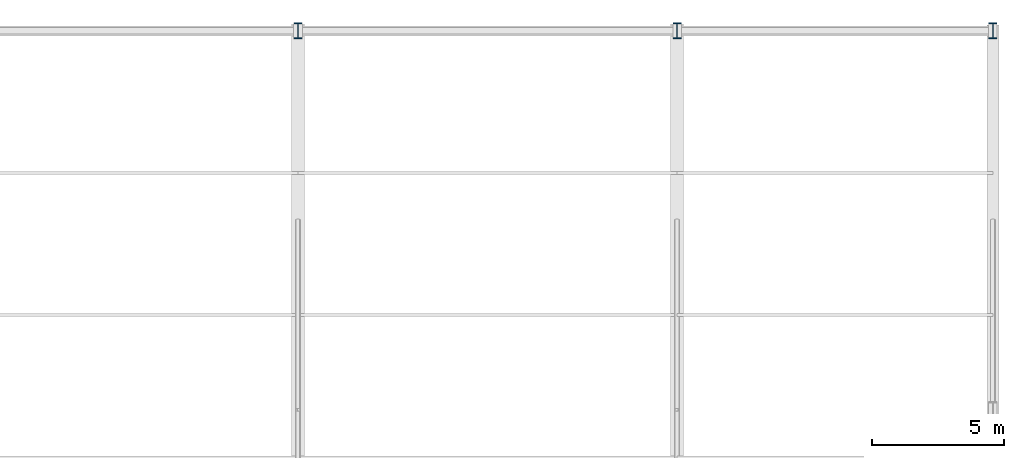
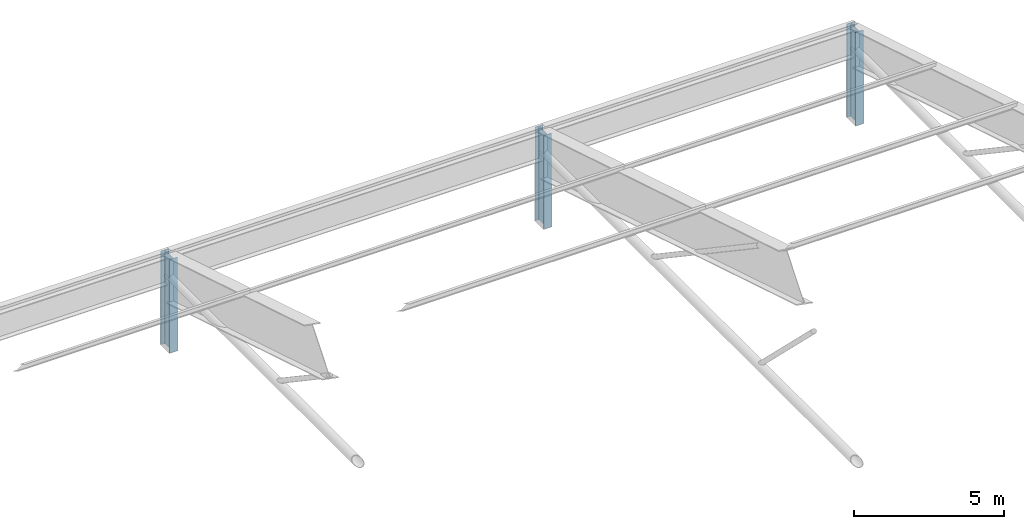
# One storey, part 13 of 116: 3 columns.
"""IFC4 building model written with IfcOpenShell, lengths in metres."""

import ifcopenshell
import ifcopenshell.guid

model = None  # the IFC model being written
_history = None  # IfcOwnerHistory: only IFC2X3 demands one
_inside = {}  # id of a spatial element -> (the spatial element, [elements in it])
_under = {}  # id of a project, library or spatial element -> (it, [spatial elements below it])
_declared = {}  # id of a project -> (the project, [libraries it declares])
_typed = {}  # id of a type object -> (the type object, [elements of that type])
_made_of = {}  # id of a material, layer set ... -> (it, [elements and type objects made of it])


def new_model(schema):
    """Start an empty IFC model of exactly this schema.

    Asked for "IFC4X3", IfcOpenShell would pick the latest addendum, in which some entities
    have other attributes; the version numbers below select the first issue.
    IFC2X3 requires an IfcOwnerHistory on every rooted entity: one is made here for all.
    """
    global model, _history
    if schema == "IFC4X3":
        model = ifcopenshell.file(schema_version=(4, 3, 0, 0))
    else:
        model = ifcopenshell.file(schema=schema)
    _inside.clear()
    _under.clear()
    _declared.clear()
    _typed.clear()
    _made_of.clear()
    _history = None
    if model.schema == "IFC2X3":
        org = make("IfcOrganization", Name="unknown")
        user = make(
            "IfcPersonAndOrganization",
            ThePerson=make("IfcPerson", FamilyName="unknown"),
            TheOrganization=org,
        )
        app = make(
            "IfcApplication",
            ApplicationDeveloper=org,
            Version="unknown",
            ApplicationFullName="unknown",
            ApplicationIdentifier="unknown",
        )
        _history = make(
            "IfcOwnerHistory",
            OwningUser=user,
            OwningApplication=app,
            ChangeAction="ADDED",
            CreationDate=0,
        )
    return model


def make(cls, **values):
    """One entity of the class cls with the attributes given. An attribute that is None is left unset."""
    return model.create_entity(
        cls, **{name: value for name, value in values.items() if value is not None}
    )


def rooted(cls, **values):
    """An entity with a GlobalId (a new one), such as an element, a storey or a relation."""
    return make(cls, GlobalId=ifcopenshell.guid.new(), OwnerHistory=_history, **values)


def si_unit(unit_type, name, prefix=None):
    """IfcSIUnit, for example si_unit("LENGTHUNIT", "METRE", prefix="MILLI")."""
    return make("IfcSIUnit", UnitType=unit_type, Prefix=prefix, Name=name)


def assignment(units):
    """IfcUnitAssignment: the units of a project."""
    return None if units is None else make("IfcUnitAssignment", Units=units)


def point(xyz):
    """IfcCartesianPoint."""
    return None if xyz is None else make("IfcCartesianPoint", Coordinates=xyz)


def direction(xyz):
    """IfcDirection."""
    return None if xyz is None else make("IfcDirection", DirectionRatios=xyz)


def frame(location, z_axis=None, x_axis=None):
    """IfcAxis2Placement3D, a coordinate frame: its origin and axes. An axis left out is left unset."""
    return make(
        "IfcAxis2Placement3D",
        Location=point(location),
        Axis=direction(z_axis),
        RefDirection=direction(x_axis),
    )


def frame_2d(location, x_axis=None):
    """IfcAxis2Placement2D, a coordinate frame in the plane: its origin and x axis."""
    return make(
        "IfcAxis2Placement2D", Location=point(location), RefDirection=direction(x_axis)
    )


def origin():
    """The frame at (0, 0, 0) with its axes left unset."""
    return frame((0.0, 0.0, 0.0))


def origin_2d():
    """The frame at (0, 0) in the plane with its x axis left unset."""
    return frame_2d((0.0, 0.0))


def place(relative_to, where):
    """IfcLocalPlacement: puts the frame where relative to a parent placement (None: the world)."""
    return make(
        "IfcLocalPlacement", PlacementRelTo=relative_to, RelativePlacement=where
    )


def context(
    kind, dimensions, precision=None, world=None, true_north=None, identifier=None
):
    """IfcGeometricRepresentationContext, for example the 3D "Model" context."""
    return make(
        "IfcGeometricRepresentationContext",
        ContextIdentifier=identifier,
        ContextType=kind,
        CoordinateSpaceDimension=dimensions,
        Precision=precision,
        WorldCoordinateSystem=world,
        TrueNorth=true_north,
    )


def subcontext(parent, identifier, kind, view, scale=None):
    """IfcGeometricRepresentationSubContext, for example "Body" below "Model"."""
    return make(
        "IfcGeometricRepresentationSubContext",
        ContextIdentifier=identifier,
        ContextType=kind,
        ParentContext=parent,
        TargetScale=scale,
        TargetView=view,
    )


def project(units=None, contexts=None):
    """IfcProject with its units and contexts."""
    return rooted(
        "IfcProject",
        Name="project",
        RepresentationContexts=contexts,
        UnitsInContext=assignment(units),
    )


def spatial(cls, under=None, at=None, **own):
    """A site, building, storey or space (cls), placed at a placement, below another one or the project."""
    s = rooted(cls, ObjectPlacement=at, **own)
    if under is not None:
        _under.setdefault(under.id(), (under, []))[1].append(s)
    return s


def profile(cls, at=None, kind="AREA", **sizes):
    """A parametric profile (cls). Its sizes go by their IFC names, for example OverallWidth=200.0."""
    return make(cls, ProfileType=kind, Position=at, **sizes)


def i_section(**sizes):
    """IfcIShapeProfileDef."""
    return profile("IfcIShapeProfileDef", **sizes)


def extrude(swept, where, along, depth):
    """IfcExtrudedAreaSolid: the profile swept, set in the frame where, extruded along a direction by depth."""
    return make(
        "IfcExtrudedAreaSolid",
        SweptArea=swept,
        Position=where,
        ExtrudedDirection=direction(along),
        Depth=depth,
    )


def shape(context_of_items, identifier, shape_type, items):
    """IfcShapeRepresentation: the items that make up one representation, for example the "Body"."""
    return make(
        "IfcShapeRepresentation",
        ContextOfItems=context_of_items,
        RepresentationIdentifier=identifier,
        RepresentationType=shape_type,
        Items=items,
    )


def material(Name=None, Category=None):
    """IfcMaterial."""
    return make("IfcMaterial", Name=Name, Category=Category)


def material_profile(
    of_material, cross_section, Name=None, Category=None, Priority=None
):
    """IfcMaterialProfile: a cross section and its material."""
    return make(
        "IfcMaterialProfile",
        Name=Name,
        Material=of_material,
        Profile=cross_section,
        Priority=Priority,
        Category=Category,
    )


def profile_set(profiles, Name=None, composite=None):
    """IfcMaterialProfileSet."""
    return make(
        "IfcMaterialProfileSet",
        Name=Name,
        MaterialProfiles=profiles,
        CompositeProfile=composite,
    )


def made_of(thing, what):
    """Note that an element or type object is made of a material, layer set ...; save() writes the relation."""
    if what is not None:
        _made_of.setdefault(what.id(), (what, []))[1].append(thing)
    return thing


def type_object(cls, material=None, **own):
    """A type object (cls), such as IfcWallType, which elements share."""
    return made_of(rooted(cls, **own), material)


def element(
    cls,
    number,
    at=None,
    inside=None,
    cuts=None,
    type_object=None,
    material=None,
    context=None,
    identifier="Body",
    shape_type=None,
    held_by="IfcProductDefinitionShape",
    body=None,
    shapes=None,
    **own,
):
    """One element of the class cls, such as IfcWall. Its Tag is "e" and its number.

    at: its placement. inside: the storey or other place that contains it. cuts: it is an
    opening in that element (IfcRelVoidsElement). A single representation is given by context,
    identifier, shape_type and body (its items); several are given by shapes. held_by: the class
    of the entity that holds the representations. save() writes the other relations.
    """
    e = rooted(cls, Tag="e%d" % number, ObjectPlacement=at, **own)
    if body is not None:
        shapes = [shape(context, identifier, shape_type, body)]
    if shapes is not None:
        e.Representation = make(held_by, Representations=shapes)
    if inside is not None:
        _inside.setdefault(inside.id(), (inside, []))[1].append(e)
    if cuts is not None:
        rooted(
            "IfcRelVoidsElement", RelatingBuildingElement=cuts, RelatedOpeningElement=e
        )
    if type_object is not None:
        _typed.setdefault(type_object.id(), (type_object, []))[1].append(e)
    return made_of(e, material)


def aggregate(whole, parts):
    """IfcRelAggregates: a whole, such as a stair, and the parts it consists of."""
    return rooted("IfcRelAggregates", RelatingObject=whole, RelatedObjects=parts)


def save(model, path):
    """Write the relations noted so far, then the file.

    IfcRelAggregates (storeys below a building ...), IfcRelContainedInSpatialStructure (elements
    in a storey), IfcRelDefinesByType, IfcRelAssociatesMaterial and IfcRelDeclares: one each for
    every whole, place, type object, material and project.
    """
    for whole, parts in _under.values():
        aggregate(whole, parts)
    for where, things in _inside.values():
        rooted(
            "IfcRelContainedInSpatialStructure",
            RelatedElements=things,
            RelatingStructure=where,
        )
    for kind, things in _typed.values():
        rooted("IfcRelDefinesByType", RelatedObjects=things, RelatingType=kind)
    for what, things in _made_of.values():
        rooted("IfcRelAssociatesMaterial", RelatedObjects=things, RelatingMaterial=what)
    for by, libraries in _declared.values():
        rooted("IfcRelDeclares", RelatingContext=by, RelatedDefinitions=libraries)
    model.write(path)


model = new_model("IFC4")

# Units and contexts
model_context = context("Model", 3, precision=1e-05, world=origin(), true_north=direction((0.0, 1.0)))
body_context = subcontext(model_context, "Body", "Model", "MODEL_VIEW")
ifc_project = project(units=[si_unit("LENGTHUNIT", "METRE"), si_unit("AREAUNIT", "SQUARE_METRE"), si_unit("VOLUMEUNIT", "CUBIC_METRE"), si_unit("PLANEANGLEUNIT", "RADIAN"), si_unit("MASSUNIT", "GRAM", prefix="KILO")], contexts=[model_context])

# Site, building, storey
site_placement = place(None, origin())
site = spatial("IfcSite", under=ifc_project, at=site_placement, CompositionType="ELEMENT")
building_placement = place(site_placement, origin())
building = spatial("IfcBuilding", under=site, at=building_placement, Name="Cendralis Lancet Convention Centre", CompositionType="ELEMENT")
storey_placement = place(building_placement, frame((0.0, 0.0, 15.0)))
storey = spatial("IfcBuildingStorey", under=building, at=storey_placement, Name="L03", CompositionType="ELEMENT", Elevation=15.0)

# Columns
ifc_material = material(Name="Steel S355", Category="steel")
ifc_material_profile = material_profile(ifc_material, i_section(OverallWidth=0.300048828125, OverallDepth=0.60009765625, WebThickness=0.015380859375, FlangeThickness=0.030029296875, FilletRadius=0.027099609375, at=origin_2d()), Name="HEB 600")
ifc_profile_set = profile_set([ifc_material_profile], Name="Steel S355")
column_type = type_object("IfcColumnType", Name="STR-COL-C21", PredefinedType="COLUMN", material=ifc_profile_set)
for number, where, z_axis, x_axis, name in (
    (1, (182.39990234375, 136.800048828125, 0.0), (0.0, 0.0, 1.0), (1.0, 0.0, 0.0), "L03 Column C21 at 182.4,136.8"),
    (2, (196.800048828125, 136.800048828125, 0.0), (0.0, 0.0, 1.0), (1.0, 0.0, 0.0), "L03 Column C21 at 196.8,136.8"),
    (3, (208.800048828125, 136.800048828125, 0.0), (0.0, 0.0, 1.0), (1.0, 0.0, 0.0), "L03 Column C21 at 208.8,136.8"),
):
    element("IfcColumn", number, at=place(storey_placement, frame(where, z_axis=z_axis, x_axis=x_axis)), inside=storey, type_object=column_type, Name=name, PredefinedType="COLUMN", context=body_context, shape_type="SweptSolid", body=[
        extrude(i_section(OverallWidth=0.300048828125, OverallDepth=0.60009765625, WebThickness=0.015380859375, FlangeThickness=0.030029296875, FilletRadius=0.027099609375, at=origin_2d()), origin(), (0.0, 0.0, 1.0), 3.800048828125),
    ])

save(model, "model.ifc")
